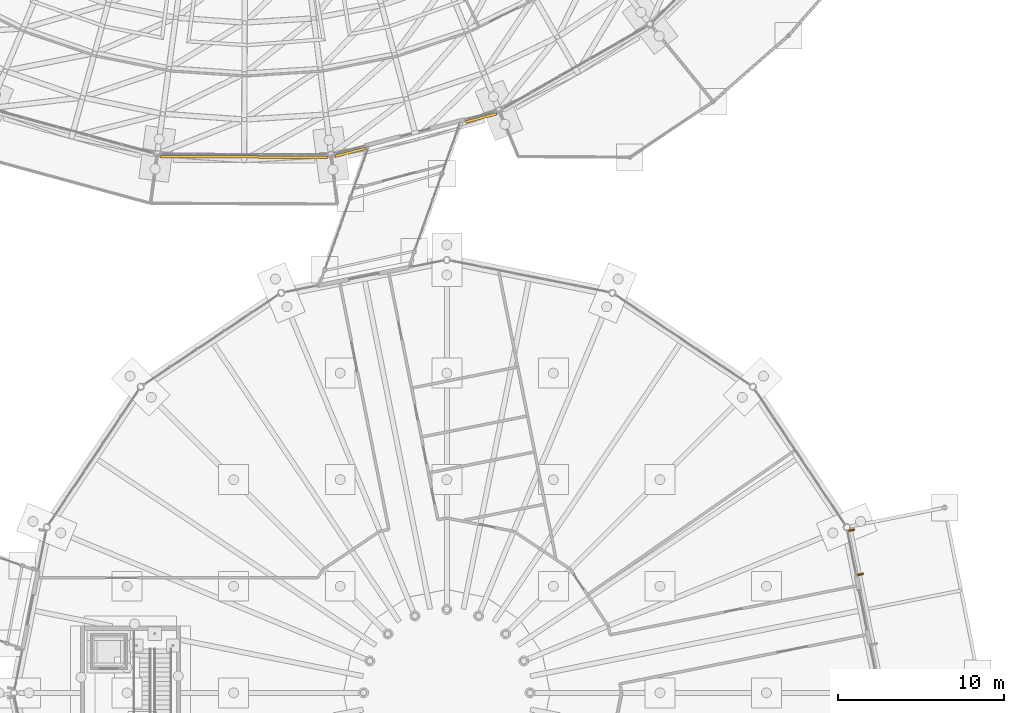
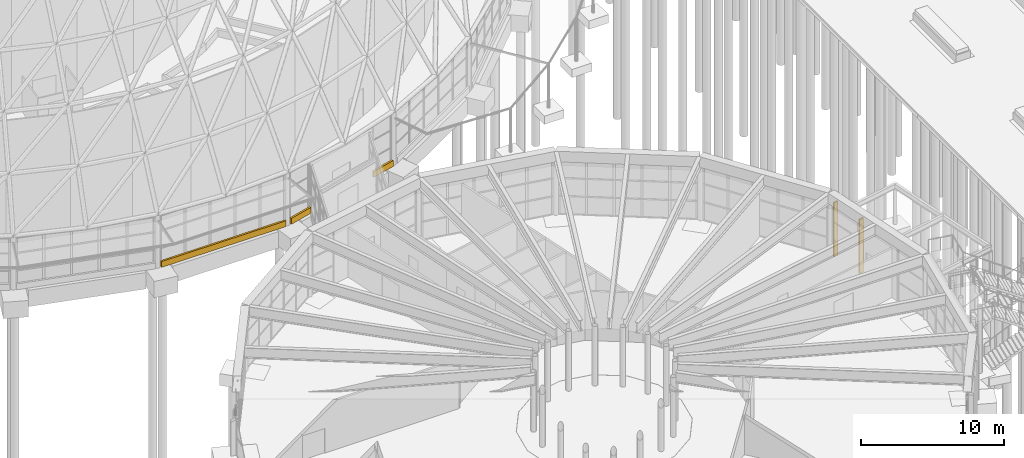
# One storey, part 219 of 226: 5 coverings.
"""IFC4 building model written with IfcOpenShell, lengths in metres."""

from ifc_helpers import new_model, si_unit, direction, frame, origin, origin_2d, place, context, subcontext, project, spatial, polyline, rectangle, outline, extrude, material, layer, layer_set, type_object, element, save


model = new_model("IFC4")

# Units and contexts
model_context = context("Model", 3, precision=1e-05, world=origin(), true_north=direction((0.0, 1.0)))
body_context = subcontext(model_context, "Body", "Model", "MODEL_VIEW")
ifc_project = project(units=[si_unit("LENGTHUNIT", "METRE"), si_unit("AREAUNIT", "SQUARE_METRE"), si_unit("VOLUMEUNIT", "CUBIC_METRE"), si_unit("PLANEANGLEUNIT", "RADIAN"), si_unit("MASSUNIT", "GRAM", prefix="KILO")], contexts=[model_context])

# Site, building, storey
site_placement = place(None, origin())
site = spatial("IfcSite", under=ifc_project, at=site_placement, CompositionType="ELEMENT")
building_placement = place(site_placement, origin())
building = spatial("IfcBuilding", under=site, at=building_placement, Name="Ceibo Conservatory and Research Tower", CompositionType="ELEMENT")
storey_placement = place(building_placement, origin())
storey = spatial("IfcBuildingStorey", under=building, at=storey_placement, Name="L00", CompositionType="ELEMENT", Elevation=0.0)

# Coverings
ifc_material_1 = material(Name="Ceramic")
ifc_layer_1 = layer(ifc_material_1, 0.10009765625)
ifc_layer_set_1 = layer_set([ifc_layer_1], Name="Ceramic")
covering_type_1 = type_object("IfcCoveringType", Name="Ceramic fin 100 x 350", PredefinedType="CLADDING", material=ifc_layer_set_1)
for number, where, z_axis, x_axis, name in (
    (1, (192.844970703125, 43.11376953125, 0.0), (0.0, 0.0, 1.0), (0.195090065247, -0.980785331478, 0.0), "Ceramic fin 1.3"),
    (2, (192.31640625, 45.770751953125, 0.0), (0.0, 0.0, 1.0), (0.195090065247, -0.980785331478, 0.0), "Ceramic fin 1.4"),
):
    element("IfcCovering", number, at=place(storey_placement, frame(where, z_axis=z_axis, x_axis=x_axis)), inside=storey, type_object=covering_type_1, Name=name, PredefinedType="CLADDING", context=body_context, shape_type="SweptSolid", body=[
        extrude(rectangle(XDim=0.10009765625, YDim=0.35009765625, at=origin_2d()), origin(), (0.0, 0.0, 1.0), 4.64892578125),
    ])
ifc_material_2 = material(Name="Concrete C35/45", Category="concrete")
ifc_layer_2 = layer(ifc_material_2, 0.14990234375)
ifc_layer_set_2 = layer_set([ifc_layer_2], Name="Concrete C35/45")
covering_type_2 = type_object("IfcCoveringType", Name="Concrete plinth facing 150", PredefinedType="CLADDING", material=ifc_layer_set_2)
covering_1_placement = place(storey_placement, origin())
element("IfcCovering", 3, at=covering_1_placement, inside=storey, type_object=covering_type_2, Name="Drum plinth facing A-PL22", PredefinedType="CLADDING", context=body_context, shape_type="SweptSolid", body=[
    extrude(outline(polyline([(150.808837890625, 68.284423828125), (160.844482421875, 68.24072265625), (160.84375, 68.0908203125), (150.80810546875, 68.134521484375), (150.808837890625, 68.284423828125)])), origin(), (0.0, 0.0, 1.0), 0.5),
])
covering_2_placement = place(storey_placement, origin())
element("IfcCovering", 4, at=covering_2_placement, inside=storey, type_object=covering_type_2, Name="Drum plinth facing A-PL23", PredefinedType="CLADDING", context=body_context, shape_type="SweptSolid", body=[
    extrude(outline(polyline([(161.264892578125, 68.294189453125), (163.123779296875, 68.78369140625), (163.162109375, 68.638671875), (161.302978515625, 68.149169921875), (161.264892578125, 68.294189453125)])), origin(), (0.0, 0.0, 1.0), 0.5),
])
covering_3_placement = place(storey_placement, origin())
element("IfcCovering", 5, at=covering_3_placement, inside=storey, type_object=covering_type_2, Name="Drum plinth facing A-PL24", PredefinedType="CLADDING", context=body_context, shape_type="SweptSolid", body=[
    extrude(outline(polyline([(169.11083984375, 70.35986328125), (170.9697265625, 70.849365234375), (171.008056640625, 70.7041015625), (169.14892578125, 70.21484375), (169.11083984375, 70.35986328125)])), origin(), (0.0, 0.0, 1.0), 0.5),
])

save(model, "model.ifc")
